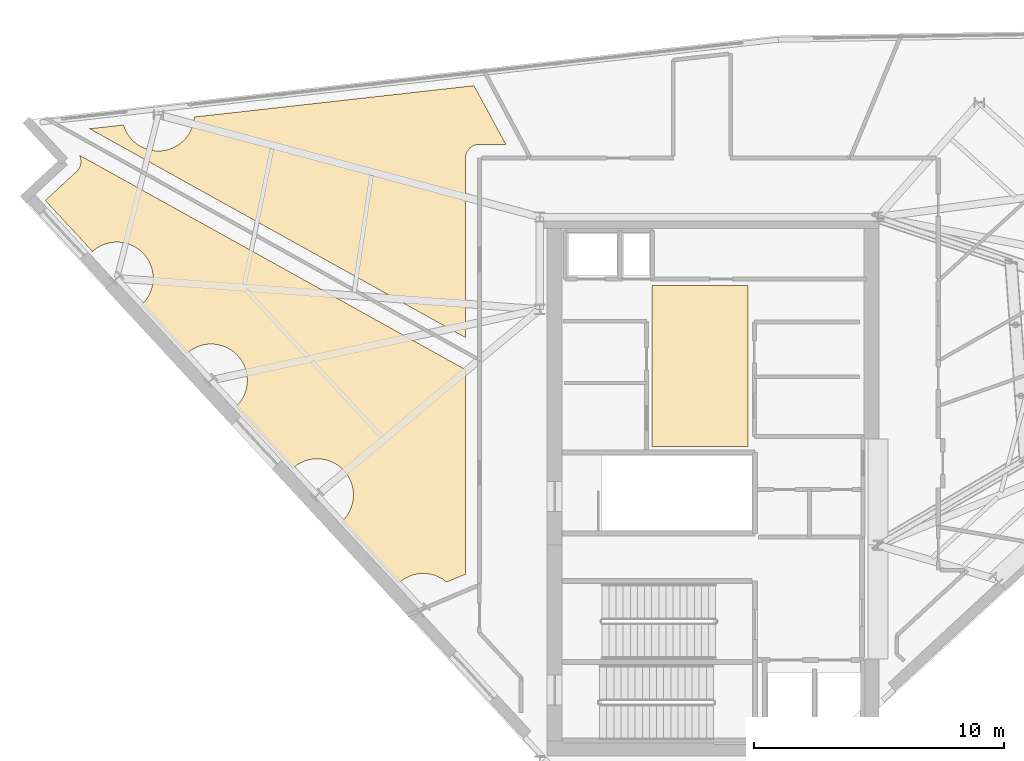
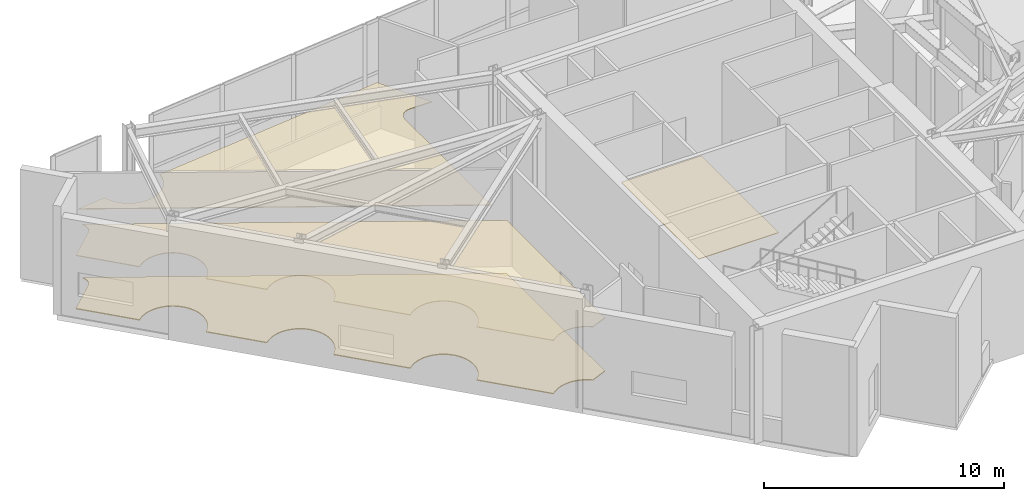
# One storey, part 15 of 15: 4 coverings.
"""IFC4 building model written with IfcOpenShell, lengths in metres."""

from ifc_helpers import new_model, si_unit, direction, frame, origin, place, context, subcontext, project, spatial, polyline, outline, extrude, material, layer, layer_set, type_object, element, save


model = new_model("IFC4")

# Units and contexts
model_context = context("Model", 3, precision=1e-05, world=origin(), true_north=direction((0.0, 1.0)))
body_context = subcontext(model_context, "Body", "Model", "MODEL_VIEW")
ifc_project = project(units=[si_unit("LENGTHUNIT", "METRE"), si_unit("AREAUNIT", "SQUARE_METRE"), si_unit("VOLUMEUNIT", "CUBIC_METRE"), si_unit("PLANEANGLEUNIT", "RADIAN"), si_unit("MASSUNIT", "GRAM", prefix="KILO")], contexts=[model_context])

# Site, building, storey
site_placement = place(None, origin())
site = spatial("IfcSite", under=ifc_project, at=site_placement, CompositionType="ELEMENT")
building_placement = place(site_placement, origin())
building = spatial("IfcBuilding", under=site, at=building_placement, Name="Narakoshi Arena Tower", CompositionType="ELEMENT")
storey_placement = place(building_placement, frame((0.0, 0.0, 292.419921875)))
storey = spatial("IfcBuildingStorey", under=building, at=storey_placement, Name="L80", CompositionType="ELEMENT", Elevation=292.419921875)

# Coverings
ifc_material_1 = material(Name="Slatted oak acoustic timber baffle", Category="wood")
ifc_layer_1 = layer(ifc_material_1, 0.034912109375)
ifc_layer_set_1 = layer_set([ifc_layer_1], Name="Slatted oak acoustic timber baffle")
covering_type_1 = type_object("IfcCoveringType", Name="COV-CLG-WD35", PredefinedType="CEILING", material=ifc_layer_set_1)
covering_1_placement = place(storey_placement, frame((0.0, 0.0, 2.715087890625)))
element("IfcCovering", 1, at=covering_1_placement, inside=storey, type_object=covering_type_1, Name="L80 Suspended Acoustic Ceiling 1", PredefinedType="CEILING", context=body_context, shape_type="SweptSolid", body=[
    extrude(outline(polyline([(69.033203125, 50.382080078125), (69.033203125, 42.19189453125), (68.265869140625, 41.876708984375), (68.252685546875, 41.888671875), (68.138427734375, 41.973388671875), (68.016357421875, 42.04638671875), (67.8876953125, 42.107421875), (67.753662109375, 42.1552734375), (67.61572265625, 42.189697265625), (67.474853515625, 42.210693359375), (67.332763671875, 42.2177734375), (67.190673828125, 42.210693359375), (67.0498046875, 42.189697265625), (66.911865234375, 42.1552734375), (66.77783203125, 42.107421875), (66.6494140625, 42.04638671875), (66.527099609375, 41.973388671875), (66.412841796875, 41.888671875), (66.357177734375, 41.837890625), (64.074462890625, 44.307373046875), (64.109130859375, 44.3388671875), (64.204833984375, 44.4443359375), (64.28955078125, 44.55859375), (64.36279296875, 44.6806640625), (64.423583984375, 44.809326171875), (64.471435546875, 44.943359375), (64.506103515625, 45.081298828125), (64.52685546875, 45.22216796875), (64.533935546875, 45.3642578125), (64.52685546875, 45.50634765625), (64.506103515625, 45.647216796875), (64.471435546875, 45.78515625), (64.423583984375, 45.919189453125), (64.36279296875, 46.047607421875), (64.28955078125, 46.169921875), (64.204833984375, 46.2841796875), (64.109130859375, 46.389404296875), (64.00390625, 46.485107421875), (63.889404296875, 46.56982421875), (63.767333984375, 46.64306640625), (63.638916015625, 46.703857421875), (63.5048828125, 46.751708984375), (63.36669921875, 46.786376953125), (63.22607421875, 46.80712890625), (63.083984375, 46.814208984375), (62.94189453125, 46.80712890625), (62.801025390625, 46.786376953125), (62.6630859375, 46.751708984375), (62.529052734375, 46.703857421875), (62.400390625, 46.64306640625), (62.2783203125, 46.56982421875), (62.1640625, 46.485107421875), (62.108154296875, 46.434326171875), (59.825439453125, 48.90380859375), (59.8603515625, 48.935302734375), (59.955810546875, 49.040771484375), (60.04052734375, 49.155029296875), (60.11376953125, 49.277099609375), (60.174560546875, 49.40576171875), (60.22265625, 49.539794921875), (60.257080078125, 49.677734375), (60.278076171875, 49.818603515625), (60.284912109375, 49.960693359375), (60.278076171875, 50.102783203125), (60.257080078125, 50.243408203125), (60.22265625, 50.381591796875), (60.174560546875, 50.515380859375), (60.11376953125, 50.64404296875), (60.04052734375, 50.76611328125), (59.955810546875, 50.880615234375), (59.8603515625, 50.98583984375), (59.7548828125, 51.08154296875), (59.640625, 51.166259765625), (59.5185546875, 51.239501953125), (59.389892578125, 51.30029296875), (59.255859375, 51.34814453125), (59.117919921875, 51.3828125), (58.97705078125, 51.403564453125), (58.8349609375, 51.41064453125), (58.69287109375, 51.403564453125), (58.552001953125, 51.3828125), (58.4140625, 51.34814453125), (58.280029296875, 51.30029296875), (58.151611328125, 51.239501953125), (58.029296875, 51.166259765625), (57.9150390625, 51.08154296875), (57.859375, 51.03076171875), (56.048583984375, 52.989501953125), (56.08349609375, 53.02099609375), (56.17919921875, 53.12646484375), (56.263916015625, 53.24072265625), (56.3369140625, 53.36279296875), (56.397705078125, 53.491455078125), (56.44580078125, 53.62548828125), (56.480224609375, 53.763427734375), (56.501220703125, 53.904296875), (56.50830078125, 54.04638671875), (56.501220703125, 54.1884765625), (56.480224609375, 54.3291015625), (56.44580078125, 54.46728515625), (56.397705078125, 54.601318359375), (56.3369140625, 54.729736328125), (56.263916015625, 54.851806640625), (56.17919921875, 54.96630859375), (56.08349609375, 55.071533203125), (55.97802734375, 55.167236328125), (55.86376953125, 55.251953125), (55.74169921875, 55.3251953125), (55.613037109375, 55.385986328125), (55.47900390625, 55.433837890625), (55.341064453125, 55.468505859375), (55.2001953125, 55.4892578125), (55.05810546875, 55.496337890625), (54.916015625, 55.4892578125), (54.775390625, 55.468505859375), (54.63720703125, 55.433837890625), (54.50341796875, 55.385986328125), (54.374755859375, 55.3251953125), (54.252685546875, 55.251953125), (54.13818359375, 55.167236328125), (54.08251953125, 55.11669921875), (52.1884765625, 57.16552734375), (53.4404296875, 58.322998046875), (53.478271484375, 58.361572265625), (53.51220703125, 58.403564453125), (53.54150390625, 58.44873046875), (53.566650390625, 58.49658203125), (53.586669921875, 58.546630859375), (53.601806640625, 58.598388671875), (53.61181640625, 58.6513671875), (53.61669921875, 58.705078125), (53.6162109375, 58.75927734375), (53.6103515625, 58.812744140625), (53.599365234375, 58.86572265625), (53.5830078125, 58.917236328125), (53.56201171875, 58.966796875), (53.55517578125, 58.9794921875), (69.033203125, 50.382080078125)])), origin(), (0.0, 0.0, 1.0), 0.034912109375),
])
covering_2_placement = place(storey_placement, frame((0.0, 0.0, 2.715087890625)))
element("IfcCovering", 2, at=covering_2_placement, inside=storey, type_object=covering_type_1, Name="L80 Suspended Acoustic Ceiling 2", PredefinedType="CEILING", context=body_context, shape_type="SweptSolid", body=[
    extrude(outline(polyline([(70.642578125, 59.416748046875), (69.583251953125, 59.416748046875), (69.529296875, 59.414306640625), (69.475830078125, 59.40625), (69.423583984375, 59.39306640625), (69.372802734375, 59.375), (69.323974609375, 59.351806640625), (69.277587890625, 59.32421875), (69.234375, 59.2919921875), (69.1943359375, 59.255615234375), (69.157958984375, 59.2158203125), (69.1259765625, 59.17236328125), (69.09814453125, 59.126220703125), (69.0751953125, 59.077392578125), (69.056884765625, 59.026611328125), (69.043701171875, 58.97412109375), (69.035888671875, 58.920654296875), (69.033203125, 58.86669921875), (69.033203125, 51.667724609375), (53.964111328125, 60.037841796875), (55.326171875, 60.190673828125), (55.32958984375, 60.17724609375), (55.37744140625, 60.043212890625), (55.438232421875, 59.91455078125), (55.511474609375, 59.79248046875), (55.59619140625, 59.67822265625), (55.69189453125, 59.57275390625), (55.797119140625, 59.477294921875), (55.91162109375, 59.392578125), (56.03369140625, 59.3193359375), (56.162109375, 59.258544921875), (56.296142578125, 59.21044921875), (56.43408203125, 59.176025390625), (56.574951171875, 59.155029296875), (56.717041015625, 59.148193359375), (56.859130859375, 59.155029296875), (57.0, 59.176025390625), (57.137939453125, 59.21044921875), (57.27197265625, 59.258544921875), (57.400634765625, 59.3193359375), (57.522705078125, 59.392578125), (57.636962890625, 59.477294921875), (57.742431640625, 59.57275390625), (57.837890625, 59.67822265625), (57.922607421875, 59.79248046875), (57.995849609375, 59.91455078125), (58.056640625, 60.043212890625), (58.104736328125, 60.17724609375), (58.13916015625, 60.315185546875), (58.16015625, 60.4560546875), (58.16259765625, 60.508544921875), (69.365478515625, 61.764404296875), (70.642578125, 59.416748046875)])), origin(), (0.0, 0.0, 1.0), 0.034912109375),
])
ifc_material_2 = material(Name="Raised steel access floor panel", Category="steel")
ifc_layer_2 = layer(ifc_material_2, 0.044921875)
ifc_layer_set_2 = layer_set([ifc_layer_2], Name="Raised steel access floor panel")
covering_type_2 = type_object("IfcCoveringType", Name="COV-FLR-RF45", PredefinedType="FLOORING", material=ifc_layer_set_2)
covering_3_placement = place(storey_placement, origin())
element("IfcCovering", 3, at=covering_3_placement, inside=storey, type_object=covering_type_2, Name="L80 Raised Steel Access Floor", PredefinedType="FLOORING", context=body_context, shape_type="SweptSolid", body=[
    extrude(outline(polyline([(69.033203125, 50.382080078125), (69.033203125, 42.19189453125), (68.265869140625, 41.876708984375), (68.252685546875, 41.888671875), (68.138427734375, 41.973388671875), (68.016357421875, 42.04638671875), (67.8876953125, 42.107421875), (67.753662109375, 42.1552734375), (67.61572265625, 42.189697265625), (67.474853515625, 42.210693359375), (67.332763671875, 42.2177734375), (67.190673828125, 42.210693359375), (67.0498046875, 42.189697265625), (66.911865234375, 42.1552734375), (66.77783203125, 42.107421875), (66.6494140625, 42.04638671875), (66.527099609375, 41.973388671875), (66.412841796875, 41.888671875), (66.357177734375, 41.837890625), (64.074462890625, 44.307373046875), (64.109130859375, 44.3388671875), (64.204833984375, 44.4443359375), (64.28955078125, 44.55859375), (64.36279296875, 44.6806640625), (64.423583984375, 44.809326171875), (64.471435546875, 44.943359375), (64.506103515625, 45.081298828125), (64.52685546875, 45.22216796875), (64.533935546875, 45.3642578125), (64.52685546875, 45.50634765625), (64.506103515625, 45.647216796875), (64.471435546875, 45.78515625), (64.423583984375, 45.919189453125), (64.36279296875, 46.047607421875), (64.28955078125, 46.169921875), (64.204833984375, 46.2841796875), (64.109130859375, 46.389404296875), (64.00390625, 46.485107421875), (63.889404296875, 46.56982421875), (63.767333984375, 46.64306640625), (63.638916015625, 46.703857421875), (63.5048828125, 46.751708984375), (63.36669921875, 46.786376953125), (63.22607421875, 46.80712890625), (63.083984375, 46.814208984375), (62.94189453125, 46.80712890625), (62.801025390625, 46.786376953125), (62.6630859375, 46.751708984375), (62.529052734375, 46.703857421875), (62.400390625, 46.64306640625), (62.2783203125, 46.56982421875), (62.1640625, 46.485107421875), (62.108154296875, 46.434326171875), (59.825439453125, 48.90380859375), (59.8603515625, 48.935302734375), (59.955810546875, 49.040771484375), (60.04052734375, 49.155029296875), (60.11376953125, 49.277099609375), (60.174560546875, 49.40576171875), (60.22265625, 49.539794921875), (60.257080078125, 49.677734375), (60.278076171875, 49.818603515625), (60.284912109375, 49.960693359375), (60.278076171875, 50.102783203125), (60.257080078125, 50.243408203125), (60.22265625, 50.381591796875), (60.174560546875, 50.515380859375), (60.11376953125, 50.64404296875), (60.04052734375, 50.76611328125), (59.955810546875, 50.880615234375), (59.8603515625, 50.98583984375), (59.7548828125, 51.08154296875), (59.640625, 51.166259765625), (59.5185546875, 51.239501953125), (59.389892578125, 51.30029296875), (59.255859375, 51.34814453125), (59.117919921875, 51.3828125), (58.97705078125, 51.403564453125), (58.8349609375, 51.41064453125), (58.69287109375, 51.403564453125), (58.552001953125, 51.3828125), (58.4140625, 51.34814453125), (58.280029296875, 51.30029296875), (58.151611328125, 51.239501953125), (58.029296875, 51.166259765625), (57.9150390625, 51.08154296875), (57.859375, 51.03076171875), (56.048583984375, 52.989501953125), (56.08349609375, 53.02099609375), (56.17919921875, 53.12646484375), (56.263916015625, 53.24072265625), (56.3369140625, 53.36279296875), (56.397705078125, 53.491455078125), (56.44580078125, 53.62548828125), (56.480224609375, 53.763427734375), (56.501220703125, 53.904296875), (56.50830078125, 54.04638671875), (56.501220703125, 54.1884765625), (56.480224609375, 54.3291015625), (56.44580078125, 54.46728515625), (56.397705078125, 54.601318359375), (56.3369140625, 54.729736328125), (56.263916015625, 54.851806640625), (56.17919921875, 54.96630859375), (56.08349609375, 55.071533203125), (55.97802734375, 55.167236328125), (55.86376953125, 55.251953125), (55.74169921875, 55.3251953125), (55.613037109375, 55.385986328125), (55.47900390625, 55.433837890625), (55.341064453125, 55.468505859375), (55.2001953125, 55.4892578125), (55.05810546875, 55.496337890625), (54.916015625, 55.4892578125), (54.775390625, 55.468505859375), (54.63720703125, 55.433837890625), (54.50341796875, 55.385986328125), (54.374755859375, 55.3251953125), (54.252685546875, 55.251953125), (54.13818359375, 55.167236328125), (54.08251953125, 55.11669921875), (52.1884765625, 57.16552734375), (53.4404296875, 58.322998046875), (53.478271484375, 58.361572265625), (53.51220703125, 58.403564453125), (53.54150390625, 58.44873046875), (53.566650390625, 58.49658203125), (53.586669921875, 58.546630859375), (53.601806640625, 58.598388671875), (53.61181640625, 58.6513671875), (53.61669921875, 58.705078125), (53.6162109375, 58.75927734375), (53.6103515625, 58.812744140625), (53.599365234375, 58.86572265625), (53.5830078125, 58.917236328125), (53.56201171875, 58.966796875), (53.55517578125, 58.9794921875), (69.033203125, 50.382080078125)])), origin(), (0.0, 0.0, 1.0), 0.045166015625),
])
ifc_material_3 = material(Name="Honed granite stone paving", Category="masonry")
ifc_layer_3 = layer(ifc_material_3, 0.030029296875)
ifc_layer_set_3 = layer_set([ifc_layer_3], Name="Honed granite stone paving")
covering_type_3 = type_object("IfcCoveringType", Name="COV-FLR-ST30", PredefinedType="FLOORING", material=ifc_layer_set_3)
covering_4_placement = place(storey_placement, origin())
element("IfcCovering", 4, at=covering_4_placement, inside=storey, type_object=covering_type_3, Name="L80 Lift Lobby Granite Flooring", PredefinedType="FLOORING", context=body_context, shape_type="SweptSolid", body=[
    extrude(outline(polyline([(76.5, 47.300048828125), (80.35009765625, 47.300048828125), (80.35009765625, 53.75), (76.5, 53.75), (76.5, 47.300048828125)])), origin(), (0.0, 0.0, 1.0), 0.030029296875),
])

save(model, "model.ifc")
